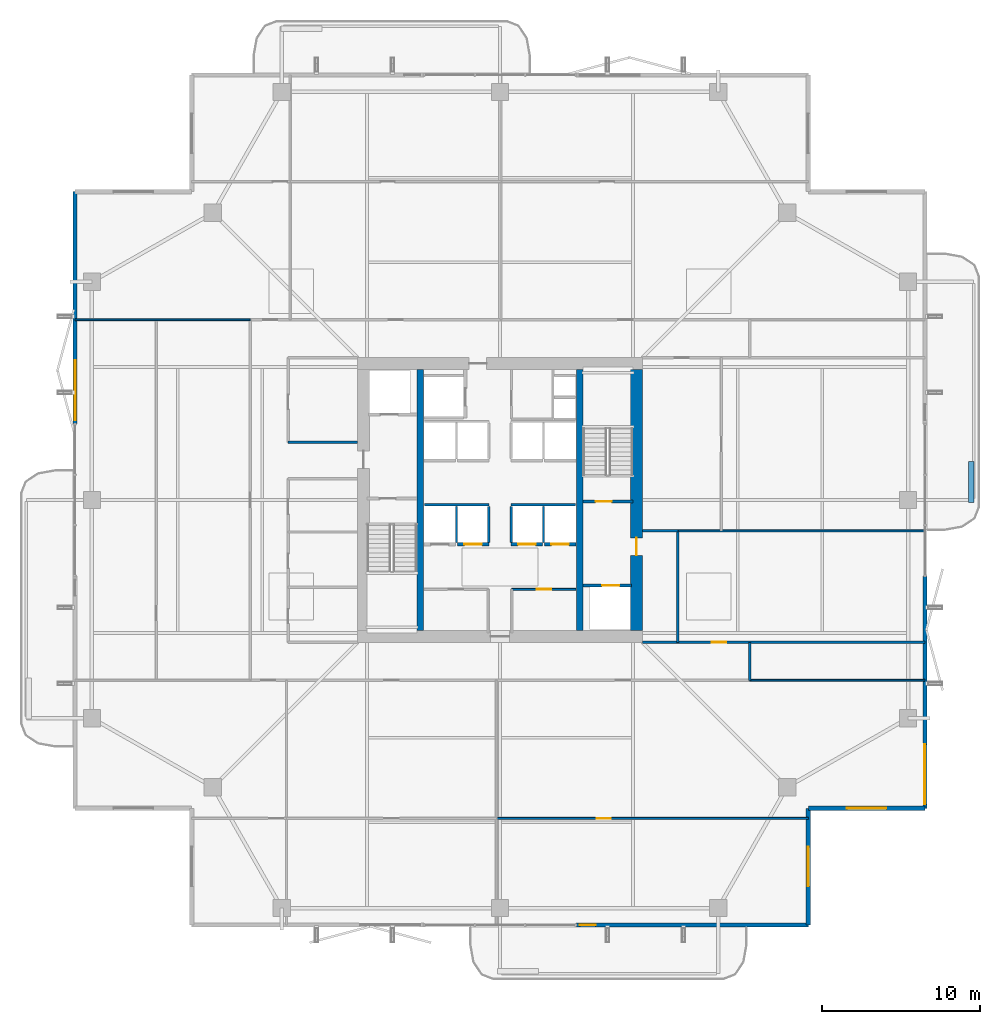
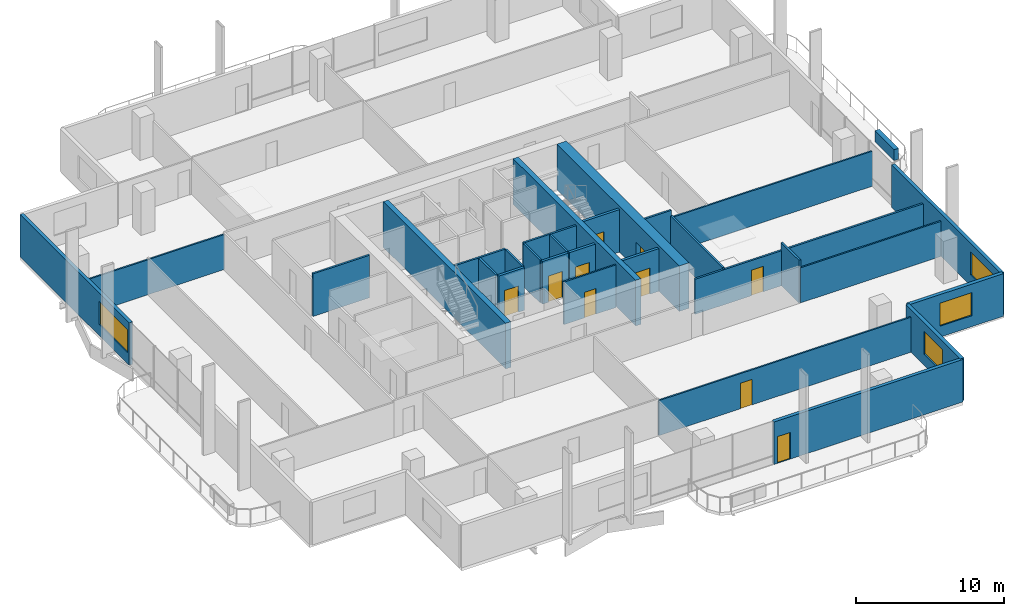
# One storey, part 18 of 24: 30 walls, 10 doors, 4 windows, 14 openings.
"""IFC4 building model written with IfcOpenShell, lengths in metres."""

from ifc_helpers import new_model, si_unit, direction, frame, frame_2d, origin, place, context, subcontext, project, spatial, rectangle, extrude, material, layer, layer_set, type_object, element, fill, save


model = new_model("IFC4")

# Units and contexts
model_context = context("Model", 3, precision=1e-05, world=origin(), true_north=direction((0.0, 1.0)))
body_context = subcontext(model_context, "Body", "Model", "MODEL_VIEW")
ifc_project = project(units=[si_unit("LENGTHUNIT", "METRE"), si_unit("AREAUNIT", "SQUARE_METRE"), si_unit("VOLUMEUNIT", "CUBIC_METRE"), si_unit("PLANEANGLEUNIT", "RADIAN"), si_unit("MASSUNIT", "GRAM", prefix="KILO")], contexts=[model_context])

# Site, building, storey
site_placement = place(None, origin())
site = spatial("IfcSite", under=ifc_project, at=site_placement, CompositionType="ELEMENT")
building_placement = place(site_placement, origin())
building = spatial("IfcBuilding", under=site, at=building_placement, Name="Belovzor Exchange Tower", CompositionType="ELEMENT")
storey_placement = place(building_placement, frame((0.0, 0.0, 226.199951171875)))
storey = spatial("IfcBuildingStorey", under=building, at=storey_placement, Name="L56", CompositionType="ELEMENT", Elevation=226.199951171875)

# Wall, opening, door
ifc_material_1 = material(Name="Acoustic Plasterboard on Galvanised Studs", Category="gypsum")
ifc_layer_1 = layer(ifc_material_1, 0.1201171875)
ifc_layer_set_1 = layer_set([ifc_layer_1], Name="Acoustic Plasterboard on Galvanised Studs")
wall_type_1 = type_object("IfcWallType", Name="Acoustic Double-Stud Partition Wall 120", PredefinedType="PARTITIONING", material=ifc_layer_set_1)
wall_1_placement = place(storey_placement, frame((28.56591796875, 8.6650390625, 0.0), z_axis=(0.0, 0.0, 1.0), x_axis=(1.0, 0.0, 0.0)))
wall_1 = element("IfcWall", 1, at=wall_1_placement, inside=storey, type_object=wall_type_1, Name="W-P120 Partition Wall W-L56-SHDIV-2", PredefinedType="PARTITIONING", context=body_context, shape_type="SweptSolid", body=[
    extrude(rectangle(XDim=19.734130859375, YDim=0.1201171875, at=frame_2d((9.8671875, 0.0))), origin(), (0.0, 0.0, 1.0), 2.885009765625),
])
opening_1_placement = place(wall_1_placement, frame((6.344970703125, 0.0, 0.0)))
opening_1 = element("IfcOpeningElement", 2, at=opening_1_placement, cuts=wall_1, Name="Opening D-INT-090", PredefinedType="OPENING", context=body_context, shape_type="SweptSolid", body=[
    extrude(rectangle(XDim=0.89990234375, YDim=2.10009765625, at=frame_2d((0.449951171875, 1.050048828125))), frame((0.0, 0.070068359375, 0.0), z_axis=(0.0, -1.0, 0.0), x_axis=(1.0, 0.0, 0.0)), (0.0, 0.0, 1.0), 0.14013671875),
])
ifc_material_2 = material(Name="Veneered Hardwood Acoustic Leaf", Category="wood")
door_type_1 = type_object("IfcDoorType", Name="Trading Suite Acoustic Single Door 900x2100", OperationType="NOTDEFINED", PredefinedType="DOOR", material=ifc_material_2)
door_1_placement = place(opening_1_placement, origin())
door_1 = element("IfcDoor", 3, at=door_1_placement, inside=storey, type_object=door_type_1, Name="D-INT-090 Trading Suite Acoustic Single Door 900x2100", OperationType="SINGLE_SWING_LEFT", OverallHeight=2.10009765625, OverallWidth=0.89990234375, PredefinedType="DOOR", context=body_context, shape_type="SweptSolid", body=[
    extrude(rectangle(XDim=0.89990234375, YDim=2.10009765625, at=frame_2d((0.449951171875, 1.050048828125))), frame((0.0, 0.02490234375, 0.0), z_axis=(0.0, -1.0, 0.0), x_axis=(1.0, 0.0, 0.0)), (0.0, 0.0, 1.0), 0.050048828125),
])
fill(opening_1, door_1)

# Walls
wall_2_placement = place(storey_placement, frame((40.050048828125, 26.85009765625, 0.0), z_axis=(0.0, 0.0, 1.0), x_axis=(1.0, 0.0, 0.0)))
element("IfcWall", 4, at=wall_2_placement, inside=storey, type_object=wall_type_1, Name="W-P120 Partition Wall W-L56-EDIV-1", PredefinedType="PARTITIONING", context=body_context, shape_type="SweptSolid", body=[
    extrude(rectangle(XDim=15.619873046875, YDim=0.1201171875, at=frame_2d((7.81005859375, 0.0))), origin(), (0.0, 0.0, 1.0), 2.885009765625),
])
wall_3_placement = place(storey_placement, frame((44.60009765625, 17.39990234375, 0.0), z_axis=(0.0, 0.0, 1.0), x_axis=(1.0, 0.0, 0.0)))
element("IfcWall", 5, at=wall_3_placement, inside=storey, type_object=wall_type_1, Name="W-P120 Partition Wall W-L56-END-SE", PredefinedType="PARTITIONING", context=body_context, shape_type="SweptSolid", body=[
    extrude(rectangle(XDim=11.06982421875, YDim=0.1201171875, at=frame_2d((5.534912109375, 0.0))), origin(), (0.0, 0.0, 1.0), 2.885009765625),
])
wall_4_placement = place(storey_placement, frame((1.929931640625, 40.199951171875, 0.0), z_axis=(0.0, 0.0, 1.0), x_axis=(1.0, 0.0, 0.0)))
element("IfcWall", 6, at=wall_4_placement, inside=storey, type_object=wall_type_1, Name="W-P120 Partition Wall W-L56-END-NW", PredefinedType="PARTITIONING", context=body_context, shape_type="SweptSolid", body=[
    extrude(rectangle(XDim=11.070068359375, YDim=0.1201171875, at=frame_2d((5.53515625, 0.0))), origin(), (0.0, 0.0, 1.0), 2.885009765625),
])

# Wall, opening, door
ifc_material_3 = material(Name="Fire-Rated Plasterboard on Galvanised Studs", Category="gypsum")
ifc_layer_2 = layer(ifc_material_3, 0.1201171875)
ifc_layer_set_2 = layer_set([ifc_layer_2], Name="Fire-Rated Plasterboard on Galvanised Studs")
wall_type_2 = type_object("IfcWallType", Name="Fire-Rated Double-Stud Partition Wall 120", PredefinedType="PARTITIONING", material=ifc_layer_set_2)
wall_5_placement = place(storey_placement, frame((29.550048828125, 23.14990234375, 0.0), z_axis=(0.0, 0.0, 1.0), x_axis=(1.0, 0.0, 0.0)))
wall_5 = element("IfcWall", 7, at=wall_5_placement, inside=storey, type_object=wall_type_2, Name="W-P120F Partition Wall W-CRL-L56-EN", PredefinedType="PARTITIONING", context=body_context, shape_type="SweptSolid", body=[
    extrude(rectangle(XDim=4.050048828125, YDim=0.1201171875, at=frame_2d((2.02490234375, 0.0))), origin(), (0.0, 0.0, 1.0), 3.5),
])
opening_2_placement = place(wall_5_placement, frame((1.574951171875, 0.0, 0.0)))
opening_2 = element("IfcOpeningElement", 8, at=opening_2_placement, cuts=wall_5, Name="Opening D-FD60-090", PredefinedType="OPENING", context=body_context, shape_type="SweptSolid", body=[
    extrude(rectangle(XDim=0.89990234375, YDim=2.10009765625, at=frame_2d((0.449951171875, 1.050048828125))), frame((0.0, 0.070068359375, 0.0), z_axis=(0.0, -1.0, 0.0), x_axis=(1.0, 0.0, 0.0)), (0.0, 0.0, 1.0), 0.14013671875),
])
ifc_material_4 = material(Name="Acoustic Timber Fire Leaf", Category="wood")
door_type_2 = type_object("IfcDoorType", Name="Core Service & Restroom Fire Door 900x2100", OperationType="NOTDEFINED", PredefinedType="DOOR", material=ifc_material_4)
door_2_placement = place(opening_2_placement, origin())
door_2 = element("IfcDoor", 9, at=door_2_placement, inside=storey, type_object=door_type_2, Name="D-FD60-090 Core Service & Restroom Fire Door 900x2100", OperationType="SINGLE_SWING_RIGHT", OverallHeight=2.10009765625, OverallWidth=0.89990234375, PredefinedType="DOOR", context=body_context, shape_type="SweptSolid", body=[
    extrude(rectangle(XDim=0.89990234375, YDim=2.10009765625, at=frame_2d((0.449951171875, 1.050048828125))), frame((0.0, 0.02490234375, 0.0), z_axis=(0.0, -1.0, 0.0), x_axis=(1.0, 0.0, 0.0)), (0.0, 0.0, 1.0), 0.050048828125),
])
fill(opening_2, door_2)

# Walls
ifc_material_5 = material(Name="Fire-Rated Gypsum Block and Mineral Wool", Category="gypsum")
ifc_layer_3 = layer(ifc_material_5, 0.14990234375)
ifc_layer_set_3 = layer_set([ifc_layer_3], Name="Fire-Rated Gypsum Block and Mineral Wool")
wall_type_3 = type_object("IfcWallType", Name="Fire-Rated Gypsum Block Corridor Wall 150", PredefinedType="PARTITIONING", material=ifc_layer_set_3)
wall_6_placement = place(storey_placement, frame((15.39990234375, 32.449951171875, 0.0), z_axis=(0.0, 0.0, 1.0), x_axis=(1.0, 0.0, 0.0)))
element("IfcWall", 10, at=wall_6_placement, inside=storey, type_object=wall_type_3, Name="W-P150 Partition Wall W-L56-CFW-N", PredefinedType="PARTITIONING", context=body_context, shape_type="SweptSolid", body=[
    extrude(rectangle(XDim=4.400146484375, YDim=0.14990234375, at=frame_2d((2.2001953125, 0.0))), origin(), (0.0, 0.0, 1.0), 3.5),
])
wall_7_placement = place(storey_placement, frame((37.800048828125, 26.85009765625, 0.0), z_axis=(0.0, 0.0, 1.0), x_axis=(1.0, 0.0, 0.0)))
element("IfcWall", 11, at=wall_7_placement, inside=storey, type_object=wall_type_3, Name="W-P150 Partition Wall W-L56-CFE-N", PredefinedType="PARTITIONING", context=body_context, shape_type="SweptSolid", body=[
    extrude(rectangle(XDim=2.25, YDim=0.14990234375, at=frame_2d((1.125, 0.0))), origin(), (0.0, 0.0, 1.0), 3.5),
])
wall_8_placement = place(storey_placement, frame((40.050048828125, 19.800048828125, 0.0), z_axis=(0.0, 0.0, 1.0), x_axis=(0.0, 1.0, 0.0)))
element("IfcWall", 12, at=wall_8_placement, inside=storey, type_object=wall_type_3, Name="W-P150 Partition Wall W-L56-CFE-E", PredefinedType="PARTITIONING", context=body_context, shape_type="SweptSolid", body=[
    extrude(rectangle(XDim=7.050048828125, YDim=0.14990234375, at=frame_2d((3.52490234375, 0.0))), origin(), (0.0, 0.0, 1.0), 3.03515625),
])
wall_9_placement = place(storey_placement, frame((44.60009765625, 17.39990234375, 0.0), z_axis=(0.0, 0.0, 1.0), x_axis=(0.0, 1.0, 0.0)))
element("IfcWall", 13, at=wall_9_placement, inside=storey, type_object=wall_type_3, Name="W-P150 Partition Wall W-L56-END-ES", PredefinedType="PARTITIONING", context=body_context, shape_type="SweptSolid", body=[
    extrude(rectangle(XDim=2.400146484375, YDim=0.14990234375, at=frame_2d((1.2001953125, 0.0))), origin(), (0.0, 0.0, 1.0), 3.5),
])

# Wall, opening, door
wall_10_placement = place(storey_placement, frame((37.800048828125, 19.800048828125, 0.0), z_axis=(0.0, 0.0, 1.0), x_axis=(1.0, 0.0, 0.0)))
wall_10 = element("IfcWall", 14, at=wall_10_placement, inside=storey, type_object=wall_type_3, Name="W-P150 Partition Wall W-L56-CS-IN", PredefinedType="PARTITIONING", context=body_context, shape_type="SweptSolid", body=[
    extrude(rectangle(XDim=17.869873046875, YDim=0.14990234375, at=frame_2d((8.93505859375, 0.0))), origin(), (0.0, 0.0, 1.0), 2.885009765625),
])
opening_3_placement = place(wall_10_placement, frame((4.39990234375, 0.0, 0.0)))
opening_3 = element("IfcOpeningElement", 15, at=opening_3_placement, cuts=wall_10, Name="Opening D-INT-090", PredefinedType="OPENING", context=body_context, shape_type="SweptSolid", body=[
    extrude(rectangle(XDim=0.89990234375, YDim=2.10009765625, at=frame_2d((0.449951171875, 1.050048828125))), frame((0.0, 0.0849609375, 0.0), z_axis=(0.0, -1.0, 0.0), x_axis=(1.0, 0.0, 0.0)), (0.0, 0.0, 1.0), 0.169921875),
])
door_3_placement = place(opening_3_placement, origin())
door_3 = element("IfcDoor", 16, at=door_3_placement, inside=storey, type_object=door_type_1, Name="D-INT-090 Trading Suite Acoustic Single Door 900x2100", OperationType="SINGLE_SWING_LEFT", OverallHeight=2.10009765625, OverallWidth=0.89990234375, PredefinedType="DOOR", context=body_context, shape_type="SweptSolid", body=[
    extrude(rectangle(XDim=0.89990234375, YDim=2.10009765625, at=frame_2d((0.449951171875, 1.050048828125))), frame((0.0, 0.02490234375, 0.0), z_axis=(0.0, -1.0, 0.0), x_axis=(1.0, 0.0, 0.0)), (0.0, 0.0, 1.0), 0.050048828125),
])
fill(opening_3, door_3)

# Wall, opening, window
ifc_material_6 = material(Name="Precast concrete C40/50", Category="concrete")
ifc_layer_4 = layer(ifc_material_6, 0.280029296875)
ifc_layer_set_4 = layer_set([ifc_layer_4], Name="Precast concrete C40/50")
wall_type_4 = type_object("IfcWallType", Name="Precast Concrete Notched Corner Frame Wall 280", PredefinedType="SOLIDWALL", material=ifc_layer_set_4)
wall_11_placement = place(storey_placement, frame((55.669921875, 9.300048828125, 0.0), z_axis=(0.0, 0.0, 1.0), x_axis=(-1.0, 0.0, 0.0)))
wall_11 = element("IfcWall", 17, at=wall_11_placement, inside=storey, type_object=wall_type_4, Name="W-CRN280 Precast Concrete Notched Corner Frame Wall 280 L56", PredefinedType="SOLIDWALL", context=body_context, shape_type="SweptSolid", body=[
    extrude(rectangle(XDim=7.369873046875, YDim=0.280029296875, at=frame_2d((3.68505859375, 0.0))), origin(), (0.0, 0.0, 1.0), 3.5),
])
opening_4_placement = place(wall_11_placement, frame((2.43505859375, 0.0, 0.89990234375)))
opening_4 = element("IfcOpeningElement", 18, at=opening_4_placement, cuts=wall_11, Name="Opening WN-CRN250", PredefinedType="OPENING", context=body_context, shape_type="SweptSolid", body=[
    extrude(rectangle(XDim=2.5, YDim=1.89990234375, at=frame_2d((1.25, 0.949951171875))), frame((0.0, 0.14990234375, 0.0), z_axis=(0.0, -1.0, 0.0), x_axis=(1.0, 0.0, 0.0)), (0.0, 0.0, 1.0), 0.300048828125),
])
ifc_material_7 = material(Name="Thermally Broken Aluminium and Triple Glazing", Category="aluminium")
window_type_1 = type_object("IfcWindowType", Name="Streamline Moderne Corner Wrap Ribbon Window 2500x1900", PartitioningType="SINGLE_PANEL", PredefinedType="WINDOW", material=ifc_material_7)
window_1_placement = place(opening_4_placement, origin())
window_1 = element("IfcWindow", 19, at=window_1_placement, inside=storey, type_object=window_type_1, Name="WN-CRN250 Streamline Moderne Corner Wrap Ribbon Window 2500x1900", OverallHeight=1.89990234375, OverallWidth=2.5, PartitioningType="SINGLE_PANEL", PredefinedType="WINDOW", context=body_context, shape_type="SweptSolid", body=[
    extrude(rectangle(XDim=2.5, YDim=1.89990234375, at=frame_2d((1.25, 0.949951171875))), frame((0.0, 0.030029296875, 0.0), z_axis=(0.0, -1.0, 0.0), x_axis=(1.0, 0.0, 0.0)), (0.0, 0.0, 1.0), 0.06005859375),
])
fill(opening_4, window_1)

wall_12_placement = place(storey_placement, frame((48.300048828125, 9.300048828125, 0.0), z_axis=(0.0, 0.0, 1.0), x_axis=(0.0, -1.0, 0.0)))
wall_12 = element("IfcWall", 20, at=wall_12_placement, inside=storey, type_object=wall_type_4, Name="W-CRN280 Precast Concrete Notched Corner Frame Wall 280 L56", PredefinedType="SOLIDWALL", context=body_context, shape_type="SweptSolid", body=[
    extrude(rectangle(XDim=7.3701171875, YDim=0.280029296875, at=frame_2d((3.68505859375, 0.0))), origin(), (0.0, 0.0, 1.0), 3.5),
])
opening_5_placement = place(wall_12_placement, frame((2.43505859375, 0.0, 0.89990234375)))
opening_5 = element("IfcOpeningElement", 21, at=opening_5_placement, cuts=wall_12, Name="Opening WN-CRN250", PredefinedType="OPENING", context=body_context, shape_type="SweptSolid", body=[
    extrude(rectangle(XDim=2.5, YDim=1.89990234375, at=frame_2d((1.25, 0.949951171875))), frame((0.0, 0.14990234375, 0.0), z_axis=(0.0, -1.0, 0.0), x_axis=(1.0, 0.0, 0.0)), (0.0, 0.0, 1.0), 0.300048828125),
])
window_2_placement = place(opening_5_placement, origin())
window_2 = element("IfcWindow", 22, at=window_2_placement, inside=storey, type_object=window_type_1, Name="WN-CRN250 Streamline Moderne Corner Wrap Ribbon Window 2500x1900", OverallHeight=1.89990234375, OverallWidth=2.5, PartitioningType="SINGLE_PANEL", PredefinedType="WINDOW", context=body_context, shape_type="SweptSolid", body=[
    extrude(rectangle(XDim=2.5, YDim=1.89990234375, at=frame_2d((1.25, 0.949951171875))), frame((0.0, 0.030029296875, 0.0), z_axis=(0.0, -1.0, 0.0), x_axis=(1.0, 0.0, 0.0)), (0.0, 0.0, 1.0), 0.06005859375),
])
fill(opening_5, window_2)

# Wall, opening, door
ifc_material_8 = material(Name="Precast concrete C40/50", Category="concrete")
ifc_layer_5 = layer(ifc_material_8, 0.260009765625)
ifc_layer_set_5 = layer_set([ifc_layer_5], Name="Precast concrete C40/50")
wall_type_5 = type_object("IfcWallType", Name="Precast Concrete Perimeter Loggia Frame Wall 260", PredefinedType="SOLIDWALL", material=ifc_layer_set_5)
wall_13_placement = place(storey_placement, frame((48.300048828125, 1.929931640625, 0.0), z_axis=(0.0, 0.0, 1.0), x_axis=(-1.0, 0.0, 0.0)))
wall_13 = element("IfcWall", 23, at=wall_13_placement, inside=storey, type_object=wall_type_5, Name="W-EXT260 Precast Concrete Perimeter Loggia Frame Wall 260 L56", PredefinedType="SOLIDWALL", context=body_context, shape_type="SweptSolid", body=[
    extrude(rectangle(XDim=14.699951171875, YDim=0.260009765625, at=frame_2d((7.35009765625, 0.0))), origin(), (0.0, 0.0, 1.0), 3.5),
])
opening_6_placement = place(wall_13_placement, frame((13.449951171875, 0.0, 0.0)))
opening_6 = element("IfcOpeningElement", 24, at=opening_6_placement, cuts=wall_13, Name="Opening D-BAL100", PredefinedType="OPENING", context=body_context, shape_type="SweptSolid", body=[
    extrude(rectangle(XDim=1.0, YDim=2.199951171875, at=frame_2d((0.5, 1.10009765625))), frame((0.0, 0.139892578125, 0.0), z_axis=(0.0, -1.0, 0.0), x_axis=(1.0, 0.0, 0.0)), (0.0, 0.0, 1.0), 0.280029296875),
])
ifc_material_9 = material(Name="Thermally Broken Anodised Aluminium and Laminated Glass", Category="aluminium")
door_type_3 = type_object("IfcDoorType", Name="Planted Loggia Terrace Glazed Door 1000x2200", OperationType="SINGLE_SWING_LEFT", PredefinedType="DOOR", material=ifc_material_9)
door_4_placement = place(opening_6_placement, origin())
door_4 = element("IfcDoor", 25, at=door_4_placement, inside=storey, type_object=door_type_3, Name="D-BAL100 Balcony Terrace Door L56 S", OperationType="SINGLE_SWING_LEFT", OverallHeight=2.199951171875, OverallWidth=1.0, PredefinedType="DOOR", context=body_context, shape_type="SweptSolid", body=[
    extrude(rectangle(XDim=1.0, YDim=2.199951171875, at=frame_2d((0.5, 1.10009765625))), frame((0.0, 0.02490234375, 0.0), z_axis=(0.0, -1.0, 0.0), x_axis=(1.0, 0.0, 0.0)), (0.0, 0.0, 1.0), 0.050048828125),
])
fill(opening_6, door_4)

# Wall, opening, window
wall_14_placement = place(storey_placement, frame((1.929931640625, 33.60009765625, 0.0), z_axis=(0.0, 0.0, 1.0), x_axis=(0.0, 1.0, 0.0)))
wall_14 = element("IfcWall", 26, at=wall_14_placement, inside=storey, type_object=wall_type_5, Name="W-EXT260 Precast Concrete Perimeter Loggia Frame Wall 260 L56", PredefinedType="SOLIDWALL", context=body_context, shape_type="SweptSolid", body=[
    extrude(rectangle(XDim=14.699951171875, YDim=0.260009765625, at=frame_2d((7.35009765625, 0.0))), origin(), (0.0, 0.0, 1.0), 3.5),
])
opening_7_placement = place(wall_14_placement, frame((0.25, 0.0, 0.89990234375)))
opening_7 = element("IfcOpeningElement", 27, at=opening_7_placement, cuts=wall_14, Name="Opening WN-RIB380", PredefinedType="OPENING", context=body_context, shape_type="SweptSolid", body=[
    extrude(rectangle(XDim=3.800048828125, YDim=1.89990234375, at=frame_2d((1.89990234375, 0.949951171875))), frame((0.0, 0.139892578125, 0.0), z_axis=(0.0, -1.0, 0.0), x_axis=(1.0, 0.0, 0.0)), (0.0, 0.0, 1.0), 0.280029296875),
])
ifc_material_10 = material(Name="Thermally Broken Aluminium and Triple Glazing", Category="aluminium")
window_type_2 = type_object("IfcWindowType", Name="Streamline Moderne Horizontal Ribbon Window 3800x1900", PartitioningType="SINGLE_PANEL", PredefinedType="WINDOW", material=ifc_material_10)
window_3_placement = place(opening_7_placement, origin())
window_3 = element("IfcWindow", 28, at=window_3_placement, inside=storey, type_object=window_type_2, Name="WN-RIB380 Streamline Moderne Horizontal Ribbon Window 3800x1900", OverallHeight=1.89990234375, OverallWidth=3.800048828125, PartitioningType="SINGLE_PANEL", PredefinedType="WINDOW", context=body_context, shape_type="SweptSolid", body=[
    extrude(rectangle(XDim=3.800048828125, YDim=1.89990234375, at=frame_2d((1.89990234375, 0.949951171875))), frame((0.0, 0.030029296875, 0.0), z_axis=(0.0, -1.0, 0.0), x_axis=(1.0, 0.0, 0.0)), (0.0, 0.0, 1.0), 0.06005859375),
])
fill(opening_7, window_3)

wall_15_placement = place(storey_placement, frame((55.669921875, 24.0, 0.0), z_axis=(0.0, 0.0, 1.0), x_axis=(0.0, -1.0, 0.0)))
wall_15 = element("IfcWall", 29, at=wall_15_placement, inside=storey, type_object=wall_type_5, Name="W-EXT260 Precast Concrete Perimeter Loggia Frame Wall 260 L56", PredefinedType="SOLIDWALL", context=body_context, shape_type="SweptSolid", body=[
    extrude(rectangle(XDim=14.699951171875, YDim=0.260009765625, at=frame_2d((7.35009765625, 0.0))), origin(), (0.0, 0.0, 1.0), 3.5),
])
opening_8_placement = place(wall_15_placement, frame((10.64990234375, 0.0, 0.89990234375)))
opening_8 = element("IfcOpeningElement", 30, at=opening_8_placement, cuts=wall_15, Name="Opening WN-RIB380", PredefinedType="OPENING", context=body_context, shape_type="SweptSolid", body=[
    extrude(rectangle(XDim=3.800048828125, YDim=1.89990234375, at=frame_2d((1.89990234375, 0.949951171875))), frame((0.0, 0.139892578125, 0.0), z_axis=(0.0, -1.0, 0.0), x_axis=(1.0, 0.0, 0.0)), (0.0, 0.0, 1.0), 0.280029296875),
])
window_4_placement = place(opening_8_placement, origin())
window_4 = element("IfcWindow", 31, at=window_4_placement, inside=storey, type_object=window_type_2, Name="WN-RIB380 Streamline Moderne Horizontal Ribbon Window 3800x1900", OverallHeight=1.89990234375, OverallWidth=3.800048828125, PartitioningType="SINGLE_PANEL", PredefinedType="WINDOW", context=body_context, shape_type="SweptSolid", body=[
    extrude(rectangle(XDim=3.800048828125, YDim=1.89990234375, at=frame_2d((1.89990234375, 0.949951171875))), frame((0.0, 0.030029296875, 0.0), z_axis=(0.0, -1.0, 0.0), x_axis=(1.0, 0.0, 0.0)), (0.0, 0.0, 1.0), 0.06005859375),
])
fill(opening_8, window_4)

# Walls
ifc_material_11 = material(Name="Precast concrete C40/50", Category="concrete")
ifc_layer_6 = layer(ifc_material_11, 0.35009765625)
ifc_layer_set_6 = layer_set([ifc_layer_6], Name="Precast concrete C40/50")
wall_type_6 = type_object("IfcWallType", Name="Precast Concrete Structural Tree Planter Trough 350", PredefinedType="PARAPET", material=ifc_layer_set_6)
wall_16_placement = place(storey_placement, frame((58.60009765625, 28.64990234375, 0.0), z_axis=(0.0, 0.0, 1.0), x_axis=(0.0, 1.0, 0.0)))
element("IfcWall", 32, at=wall_16_placement, inside=storey, type_object=wall_type_6, Name="PT-350 Precast Concrete Structural Tree Planter Trough 350 L56", PredefinedType="PARAPET", context=body_context, shape_type="SweptSolid", body=[
    extrude(rectangle(XDim=2.60009765625, YDim=0.35009765625, at=frame_2d((1.300048828125, 0.0))), origin(), (0.0, 0.0, 1.0), 0.900146484375),
])
ifc_material_12 = material(Name="Concrete C50/60", Category="concrete")
ifc_layer_7 = layer(ifc_material_12, 0.39990234375)
ifc_layer_set_7 = layer_set([ifc_layer_7], Name="Concrete C50/60")
wall_type_7 = type_object("IfcWallType", Name="Reinforced Concrete Core Internal Web Wall 400", PredefinedType="SHEAR", material=ifc_layer_set_7)
for number, where, z_axis, x_axis, name in (
    (33, (23.75, 20.550048828125, 0.0), (0.0, 0.0, 1.0), (0.0, 1.0, 0.0), "CW-W040 Core Internal Web Wall L56 WL"),
    (34, (33.85009765625, 20.550048828125, 0.0), (0.0, 0.0, 1.0), (0.0, 1.0, 0.0), "CW-W040 Core Internal Web Wall L56 ER"),
):
    element("IfcWall", number, at=place(storey_placement, frame(where, z_axis=z_axis, x_axis=x_axis)), inside=storey, type_object=wall_type_7, Name=name, PredefinedType="SHEAR", context=body_context, shape_type="SweptSolid", body=[
        extrude(rectangle(XDim=16.5, YDim=0.39990234375, at=frame_2d((8.25, 0.0))), origin(), (0.0, 0.0, 1.0), 3.75),
    ])
ifc_material_13 = material(Name="Concrete C50/60", Category="concrete")
ifc_layer_8 = layer(ifc_material_13, 0.14990234375)
ifc_layer_set_8 = layer_set([ifc_layer_8], Name="Concrete C50/60")
wall_type_8 = type_object("IfcWallType", Name="Reinforced Concrete Core Riser Shear Wall 150", PredefinedType="SHEAR", material=ifc_layer_set_8)
for number, where, z_axis, x_axis, name in (
    (35, (24.02001953125, 28.5, 0.0), (0.0, 0.0, 1.0), (1.0, 0.0, 0.0), "W-C150S Core Shaft Wall W-SHB-L56-PLM-NW"),
    (36, (29.5, 28.5, 0.0), (0.0, 0.0, 1.0), (1.0, 0.0, 0.0), "W-C150S Core Shaft Wall W-SHB-L56-PLM-NE"),
):
    element("IfcWall", number, at=place(storey_placement, frame(where, z_axis=z_axis, x_axis=x_axis)), inside=storey, type_object=wall_type_8, Name=name, PredefinedType="SHEAR", context=body_context, shape_type="SweptSolid", body=[
        extrude(rectangle(XDim=4.080078125, YDim=0.14990234375, at=frame_2d((2.0400390625, 0.0))), origin(), (0.0, 0.0, 1.0), 3.5),
    ])
for number, where, z_axis, x_axis, name in (
    (37, (26.050048828125, 26.1201171875, 0.0), (0.0, 0.0, 1.0), (0.0, 1.0, 0.0), "W-C150S Core Shaft Wall W-SHD-L56-PLM-1"),
    (38, (28.10009765625, 26.1201171875, 0.0), (0.0, 0.0, 1.0), (0.0, 1.0, 0.0), "W-C150S Core Shaft Wall W-SHD-L56-PLM-2"),
    (39, (29.5, 26.1201171875, 0.0), (0.0, 0.0, 1.0), (0.0, 1.0, 0.0), "W-C150S Core Shaft Wall W-SHD-L56-PLM-3"),
    (40, (31.550048828125, 26.1201171875, 0.0), (0.0, 0.0, 1.0), (0.0, 1.0, 0.0), "W-C150S Core Shaft Wall W-SHD-L56-PLM-4"),
):
    element("IfcWall", number, at=place(storey_placement, frame(where, z_axis=z_axis, x_axis=x_axis)), inside=storey, type_object=wall_type_8, Name=name, PredefinedType="SHEAR", context=body_context, shape_type="SweptSolid", body=[
        extrude(rectangle(XDim=2.27978515625, YDim=0.14990234375, at=frame_2d((1.139892578125, 0.0))), origin(), (0.0, 0.0, 1.0), 3.5),
    ])

# Wall, opening, door
ifc_material_14 = material(Name="Concrete C50/60", Category="concrete")
ifc_layer_9 = layer(ifc_material_14, 0.199951171875)
ifc_layer_set_9 = layer_set([ifc_layer_9], Name="Concrete C50/60")
wall_type_9 = type_object("IfcWallType", Name="Reinforced Concrete Core Shaft Shear Wall 200", PredefinedType="SHEAR", material=ifc_layer_set_9)
wall_17_placement = place(storey_placement, frame((34.050048828125, 28.699951171875, 0.0), z_axis=(0.0, 0.0, 1.0), x_axis=(1.0, 0.0, 0.0)))
wall_17 = element("IfcWall", 41, at=wall_17_placement, inside=storey, type_object=wall_type_9, Name="W-C200S Core Shaft Wall W-CORE-L56-FFLE2", PredefinedType="SHEAR", context=body_context, shape_type="SweptSolid", body=[
    extrude(rectangle(XDim=3.14990234375, YDim=0.199951171875, at=frame_2d((1.574951171875, 0.0))), origin(), (0.0, 0.0, 1.0), 3.5),
])
opening_9_placement = place(wall_17_placement, frame((0.800048828125, 0.0, 0.0)))
opening_9 = element("IfcOpeningElement", 42, at=opening_9_placement, cuts=wall_17, Name="Opening D-FD90-100", PredefinedType="OPENING", context=body_context, shape_type="SweptSolid", body=[
    extrude(rectangle(XDim=1.0, YDim=2.10009765625, at=frame_2d((0.5, 1.050048828125))), frame((0.0, 0.10986328125, 0.0), z_axis=(0.0, -1.0, 0.0), x_axis=(1.0, 0.0, 0.0)), (0.0, 0.0, 1.0), 0.219970703125),
])
ifc_material_15 = material(Name="Fire-Rated Galvanised Steel Leaf", Category="steel")
door_type_4 = type_object("IfcDoorType", Name="Protected Stairwell Single Fire Door 1000x2100", OperationType="NOTDEFINED", PredefinedType="DOOR", material=ifc_material_15)
door_5_placement = place(opening_9_placement, origin())
door_5 = element("IfcDoor", 43, at=door_5_placement, inside=storey, type_object=door_type_4, Name="D-FD90-100 Protected Stairwell Single Fire Door 1000x2100", OperationType="SINGLE_SWING_LEFT", OverallHeight=2.10009765625, OverallWidth=1.0, PredefinedType="DOOR", context=body_context, shape_type="SweptSolid", body=[
    extrude(rectangle(XDim=1.0, YDim=2.10009765625, at=frame_2d((0.5, 1.050048828125))), frame((0.0, 0.02490234375, 0.0), z_axis=(0.0, -1.0, 0.0), x_axis=(1.0, 0.0, 0.0)), (0.0, 0.0, 1.0), 0.050048828125),
])
fill(opening_9, door_5)

wall_18_placement = place(storey_placement, frame((34.050048828125, 23.39990234375, 0.0), z_axis=(0.0, 0.0, 1.0), x_axis=(1.0, 0.0, 0.0)))
wall_18 = element("IfcWall", 44, at=wall_18_placement, inside=storey, type_object=wall_type_9, Name="W-C200S Core Shaft Wall W-SH-L56-FFL-02", PredefinedType="SHEAR", context=body_context, shape_type="SweptSolid", body=[
    extrude(rectangle(XDim=3.050048828125, YDim=0.199951171875, at=frame_2d((1.52490234375, 0.0))), origin(), (0.0, 0.0, 1.0), 3.5),
])
opening_10_placement = place(wall_18_placement, frame((1.199951171875, 0.0, 0.0)))
opening_10 = element("IfcOpeningElement", 45, at=opening_10_placement, cuts=wall_18, Name="Opening LD-110", PredefinedType="OPENING", context=body_context, shape_type="SweptSolid", body=[
    extrude(rectangle(XDim=1.10009765625, YDim=2.14990234375, at=frame_2d((0.550048828125, 1.074951171875))), frame((0.0, 0.10986328125, 0.0), z_axis=(0.0, -1.0, 0.0), x_axis=(1.0, 0.0, 0.0)), (0.0, 0.0, 1.0), 0.219970703125),
])
ifc_material_16 = material(Name="Stainless Steel Grade 304", Category="steel")
door_type_5 = type_object("IfcDoorType", Name="Automated Stainless Steel Lift Landing Door 1100x2150", OperationType="SLIDING_TO_RIGHT", PredefinedType="DOOR", material=ifc_material_16)
door_6_placement = place(opening_10_placement, origin())
door_6 = element("IfcDoor", 46, at=door_6_placement, inside=storey, type_object=door_type_5, Name="LD-110 Automated Stainless Steel Lift Landing Door 1100x2150", OperationType="SLIDING_TO_RIGHT", OverallHeight=2.14990234375, OverallWidth=1.10009765625, PredefinedType="DOOR", context=body_context, shape_type="SweptSolid", body=[
    extrude(rectangle(XDim=1.10009765625, YDim=2.14990234375, at=frame_2d((0.550048828125, 1.074951171875))), frame((0.0, 0.02490234375, 0.0), z_axis=(0.0, -1.0, 0.0), x_axis=(1.0, 0.0, 0.0)), (0.0, 0.0, 1.0), 0.050048828125),
])
fill(opening_10, door_6)

wall_19_placement = place(storey_placement, frame((26.10009765625, 26.0, 0.0), z_axis=(0.0, 0.0, 1.0), x_axis=(1.0, 0.0, 0.0)))
wall_19 = element("IfcWall", 47, at=wall_19_placement, inside=storey, type_object=wall_type_9, Name="W-C200S Core Shaft Wall W-SH-L56-PL-M2", PredefinedType="SHEAR", context=body_context, shape_type="SweptSolid", body=[
    extrude(rectangle(XDim=2.0, YDim=0.199951171875, at=frame_2d((1.0, 0.0))), origin(), (0.0, 0.0, 1.0), 3.5),
])
opening_11_placement = place(wall_19_placement, frame((0.449951171875, 0.0, 0.0)))
opening_11 = element("IfcOpeningElement", 48, at=opening_11_placement, cuts=wall_19, Name="Opening LD-110", PredefinedType="OPENING", context=body_context, shape_type="SweptSolid", body=[
    extrude(rectangle(XDim=1.10009765625, YDim=2.14990234375, at=frame_2d((0.550048828125, 1.074951171875))), frame((0.0, 0.10986328125, 0.0), z_axis=(0.0, -1.0, 0.0), x_axis=(1.0, 0.0, 0.0)), (0.0, 0.0, 1.0), 0.219970703125),
])
door_7_placement = place(opening_11_placement, origin())
door_7 = element("IfcDoor", 49, at=door_7_placement, inside=storey, type_object=door_type_5, Name="LD-110 Automated Stainless Steel Lift Landing Door 1100x2150", OperationType="SLIDING_TO_RIGHT", OverallHeight=2.14990234375, OverallWidth=1.10009765625, PredefinedType="DOOR", context=body_context, shape_type="SweptSolid", body=[
    extrude(rectangle(XDim=1.10009765625, YDim=2.14990234375, at=frame_2d((0.550048828125, 1.074951171875))), frame((0.0, 0.02490234375, 0.0), z_axis=(0.0, -1.0, 0.0), x_axis=(1.0, 0.0, 0.0)), (0.0, 0.0, 1.0), 0.050048828125),
])
fill(opening_11, door_7)

wall_20_placement = place(storey_placement, frame((29.5, 26.0, 0.0), z_axis=(0.0, 0.0, 1.0), x_axis=(1.0, 0.0, 0.0)))
wall_20 = element("IfcWall", 50, at=wall_20_placement, inside=storey, type_object=wall_type_9, Name="W-C200S Core Shaft Wall W-SH-L56-PL-M3", PredefinedType="SHEAR", context=body_context, shape_type="SweptSolid", body=[
    extrude(rectangle(XDim=2.0, YDim=0.199951171875, at=frame_2d((1.0, 0.0))), origin(), (0.0, 0.0, 1.0), 3.5),
])
opening_12_placement = place(wall_20_placement, frame((0.449951171875, 0.0, 0.0)))
opening_12 = element("IfcOpeningElement", 51, at=opening_12_placement, cuts=wall_20, Name="Opening LD-110", PredefinedType="OPENING", context=body_context, shape_type="SweptSolid", body=[
    extrude(rectangle(XDim=1.10009765625, YDim=2.14990234375, at=frame_2d((0.550048828125, 1.074951171875))), frame((0.0, 0.10986328125, 0.0), z_axis=(0.0, -1.0, 0.0), x_axis=(1.0, 0.0, 0.0)), (0.0, 0.0, 1.0), 0.219970703125),
])
door_8_placement = place(opening_12_placement, origin())
door_8 = element("IfcDoor", 52, at=door_8_placement, inside=storey, type_object=door_type_5, Name="LD-110 Automated Stainless Steel Lift Landing Door 1100x2150", OperationType="SLIDING_TO_RIGHT", OverallHeight=2.14990234375, OverallWidth=1.10009765625, PredefinedType="DOOR", context=body_context, shape_type="SweptSolid", body=[
    extrude(rectangle(XDim=1.10009765625, YDim=2.14990234375, at=frame_2d((0.550048828125, 1.074951171875))), frame((0.0, 0.02490234375, 0.0), z_axis=(0.0, -1.0, 0.0), x_axis=(1.0, 0.0, 0.0)), (0.0, 0.0, 1.0), 0.050048828125),
])
fill(opening_12, door_8)

wall_21_placement = place(storey_placement, frame((31.60009765625, 26.0, 0.0), z_axis=(0.0, 0.0, 1.0), x_axis=(1.0, 0.0, 0.0)))
wall_21 = element("IfcWall", 53, at=wall_21_placement, inside=storey, type_object=wall_type_9, Name="W-C200S Core Shaft Wall W-SH-L56-PL-M4", PredefinedType="SHEAR", context=body_context, shape_type="SweptSolid", body=[
    extrude(rectangle(XDim=2.0, YDim=0.199951171875, at=frame_2d((1.0, 0.0))), origin(), (0.0, 0.0, 1.0), 3.5),
])
opening_13_placement = place(wall_21_placement, frame((0.449951171875, 0.0, 0.0)))
opening_13 = element("IfcOpeningElement", 54, at=opening_13_placement, cuts=wall_21, Name="Opening LD-110", PredefinedType="OPENING", context=body_context, shape_type="SweptSolid", body=[
    extrude(rectangle(XDim=1.10009765625, YDim=2.14990234375, at=frame_2d((0.550048828125, 1.074951171875))), frame((0.0, 0.10986328125, 0.0), z_axis=(0.0, -1.0, 0.0), x_axis=(1.0, 0.0, 0.0)), (0.0, 0.0, 1.0), 0.219970703125),
])
door_9_placement = place(opening_13_placement, origin())
door_9 = element("IfcDoor", 55, at=door_9_placement, inside=storey, type_object=door_type_5, Name="LD-110 Automated Stainless Steel Lift Landing Door 1100x2150", OperationType="SLIDING_TO_RIGHT", OverallHeight=2.14990234375, OverallWidth=1.10009765625, PredefinedType="DOOR", context=body_context, shape_type="SweptSolid", body=[
    extrude(rectangle(XDim=1.10009765625, YDim=2.14990234375, at=frame_2d((0.550048828125, 1.074951171875))), frame((0.0, 0.02490234375, 0.0), z_axis=(0.0, -1.0, 0.0), x_axis=(1.0, 0.0, 0.0)), (0.0, 0.0, 1.0), 0.050048828125),
])
fill(opening_13, door_9)

ifc_material_17 = material(Name="Concrete C50/60", Category="concrete")
ifc_layer_10 = layer(ifc_material_17, 0.75)
ifc_layer_set_10 = layer_set([ifc_layer_10], Name="Concrete C50/60")
wall_type_10 = type_object("IfcWallType", Name="Reinforced Concrete Core Shear Wall 750", PredefinedType="SHEAR", material=ifc_layer_set_10)
wall_22_placement = place(storey_placement, frame((37.425048828125, 20.550048828125, 0.0), z_axis=(0.0, 0.0, 1.0), x_axis=(0.0, 1.0, 0.0)))
wall_22 = element("IfcWall", 56, at=wall_22_placement, inside=storey, type_object=wall_type_10, Name="CW-S075 Core Shear Wall L56 E", PredefinedType="SHEAR", context=body_context, shape_type="SweptSolid", body=[
    extrude(rectangle(XDim=16.5, YDim=0.75, at=frame_2d((8.25, 0.0))), origin(), (0.0, 0.0, 1.0), 3.75),
])
opening_14_placement = place(wall_22_placement, frame((4.75, 0.0, 0.0)))
opening_14 = element("IfcOpeningElement", 57, at=opening_14_placement, cuts=wall_22, Name="Opening D-FD90-110", PredefinedType="OPENING", context=body_context, shape_type="SweptSolid", body=[
    extrude(rectangle(XDim=1.10009765625, YDim=2.14990234375, at=frame_2d((0.550048828125, 1.074951171875))), frame((0.0, 0.385009765625, 0.0), z_axis=(0.0, -1.0, 0.0), x_axis=(1.0, 0.0, 0.0)), (0.0, 0.0, 1.0), 0.77001953125),
])
ifc_material_18 = material(Name="Fire-Rated Galvanised Steel Leaf", Category="steel")
door_type_6 = type_object("IfcDoorType", Name="Protected Escape Vestibule Fire Door 1100x2150", OperationType="NOTDEFINED", PredefinedType="DOOR", material=ifc_material_18)
door_10_placement = place(opening_14_placement, origin())
door_10 = element("IfcDoor", 58, at=door_10_placement, inside=storey, type_object=door_type_6, Name="D-FD90-110 Protected Escape Vestibule Fire Door 1100x2150", OperationType="SINGLE_SWING_RIGHT", OverallHeight=2.14990234375, OverallWidth=1.10009765625, PredefinedType="DOOR", context=body_context, shape_type="SweptSolid", body=[
    extrude(rectangle(XDim=1.10009765625, YDim=2.14990234375, at=frame_2d((0.550048828125, 1.074951171875))), frame((0.0, 0.02490234375, 0.0), z_axis=(0.0, -1.0, 0.0), x_axis=(1.0, 0.0, 0.0)), (0.0, 0.0, 1.0), 0.050048828125),
])
fill(opening_14, door_10)

save(model, "model.ifc")
